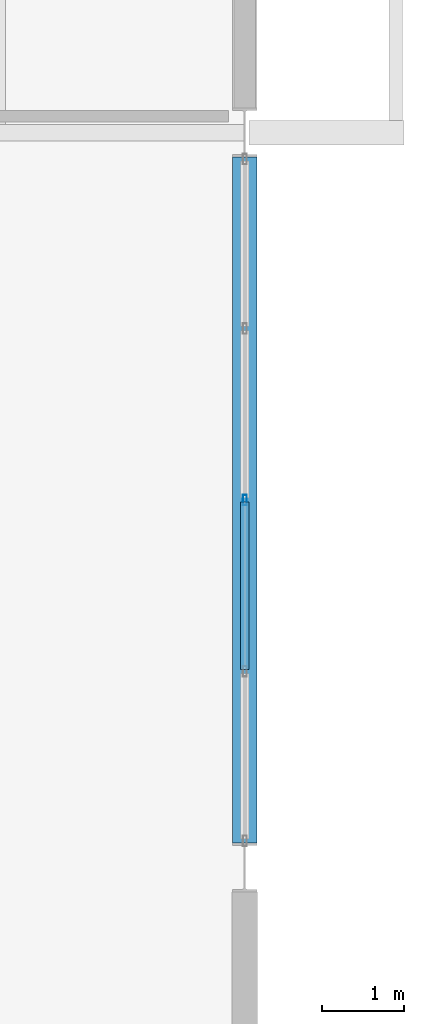
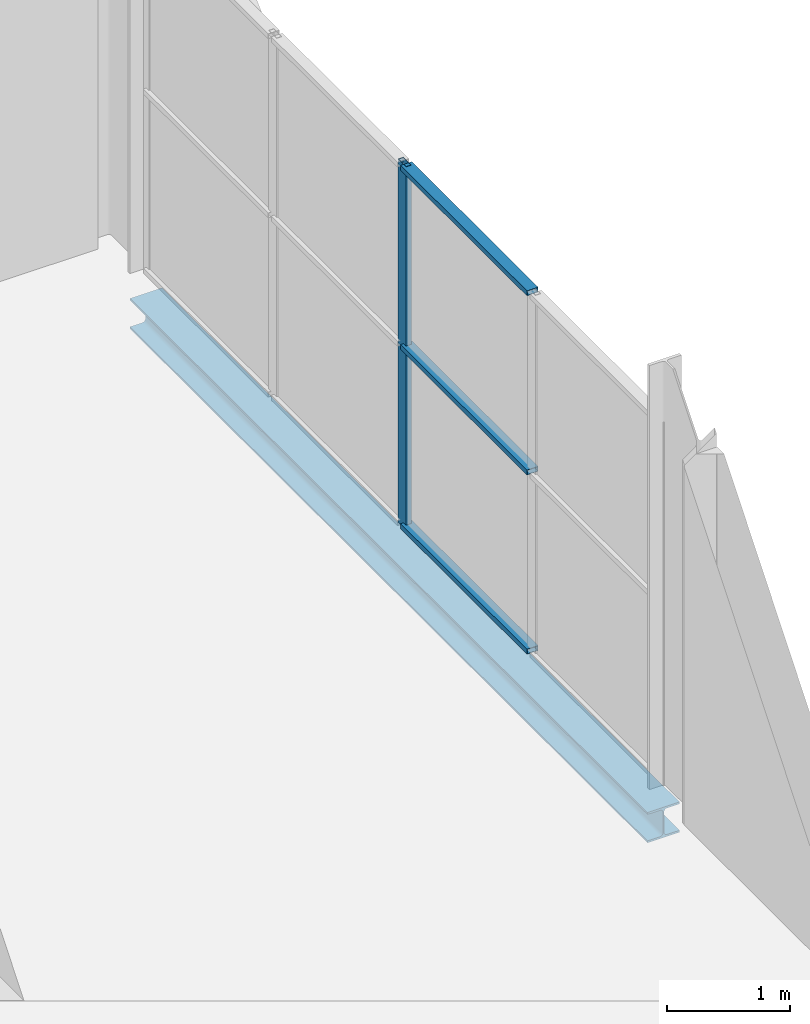
# One storey, part 34 of 59: 4 members, 1 beam, 1 element without a shape of its own.
"""IFC4 building model written with IfcOpenShell, lengths in metres."""

import ifcopenshell
import ifcopenshell.guid

model = None  # the IFC model being written
_history = None  # IfcOwnerHistory: only IFC2X3 demands one
_inside = {}  # id of a spatial element -> (the spatial element, [elements in it])
_under = {}  # id of a project, library or spatial element -> (it, [spatial elements below it])
_declared = {}  # id of a project -> (the project, [libraries it declares])
_typed = {}  # id of a type object -> (the type object, [elements of that type])
_made_of = {}  # id of a material, layer set ... -> (it, [elements and type objects made of it])


def new_model(schema):
    """Start an empty IFC model of exactly this schema.

    Asked for "IFC4X3", IfcOpenShell would pick the latest addendum, in which some entities
    have other attributes; the version numbers below select the first issue.
    IFC2X3 requires an IfcOwnerHistory on every rooted entity: one is made here for all.
    """
    global model, _history
    if schema == "IFC4X3":
        model = ifcopenshell.file(schema_version=(4, 3, 0, 0))
    else:
        model = ifcopenshell.file(schema=schema)
    _inside.clear()
    _under.clear()
    _declared.clear()
    _typed.clear()
    _made_of.clear()
    _history = None
    if model.schema == "IFC2X3":
        org = make("IfcOrganization", Name="unknown")
        user = make(
            "IfcPersonAndOrganization",
            ThePerson=make("IfcPerson", FamilyName="unknown"),
            TheOrganization=org,
        )
        app = make(
            "IfcApplication",
            ApplicationDeveloper=org,
            Version="unknown",
            ApplicationFullName="unknown",
            ApplicationIdentifier="unknown",
        )
        _history = make(
            "IfcOwnerHistory",
            OwningUser=user,
            OwningApplication=app,
            ChangeAction="ADDED",
            CreationDate=0,
        )
    return model


def make(cls, **values):
    """One entity of the class cls with the attributes given. An attribute that is None is left unset."""
    return model.create_entity(
        cls, **{name: value for name, value in values.items() if value is not None}
    )


def rooted(cls, **values):
    """An entity with a GlobalId (a new one), such as an element, a storey or a relation."""
    return make(cls, GlobalId=ifcopenshell.guid.new(), OwnerHistory=_history, **values)


def si_unit(unit_type, name, prefix=None):
    """IfcSIUnit, for example si_unit("LENGTHUNIT", "METRE", prefix="MILLI")."""
    return make("IfcSIUnit", UnitType=unit_type, Prefix=prefix, Name=name)


def assignment(units):
    """IfcUnitAssignment: the units of a project."""
    return None if units is None else make("IfcUnitAssignment", Units=units)


def point(xyz):
    """IfcCartesianPoint."""
    return None if xyz is None else make("IfcCartesianPoint", Coordinates=xyz)


def direction(xyz):
    """IfcDirection."""
    return None if xyz is None else make("IfcDirection", DirectionRatios=xyz)


def frame(location, z_axis=None, x_axis=None):
    """IfcAxis2Placement3D, a coordinate frame: its origin and axes. An axis left out is left unset."""
    return make(
        "IfcAxis2Placement3D",
        Location=point(location),
        Axis=direction(z_axis),
        RefDirection=direction(x_axis),
    )


def frame_2d(location, x_axis=None):
    """IfcAxis2Placement2D, a coordinate frame in the plane: its origin and x axis."""
    return make(
        "IfcAxis2Placement2D", Location=point(location), RefDirection=direction(x_axis)
    )


def origin():
    """The frame at (0, 0, 0) with its axes left unset."""
    return frame((0.0, 0.0, 0.0))


def origin_2d():
    """The frame at (0, 0) in the plane with its x axis left unset."""
    return frame_2d((0.0, 0.0))


def place(relative_to, where):
    """IfcLocalPlacement: puts the frame where relative to a parent placement (None: the world)."""
    return make(
        "IfcLocalPlacement", PlacementRelTo=relative_to, RelativePlacement=where
    )


def context(
    kind, dimensions, precision=None, world=None, true_north=None, identifier=None
):
    """IfcGeometricRepresentationContext, for example the 3D "Model" context."""
    return make(
        "IfcGeometricRepresentationContext",
        ContextIdentifier=identifier,
        ContextType=kind,
        CoordinateSpaceDimension=dimensions,
        Precision=precision,
        WorldCoordinateSystem=world,
        TrueNorth=true_north,
    )


def subcontext(parent, identifier, kind, view, scale=None):
    """IfcGeometricRepresentationSubContext, for example "Body" below "Model"."""
    return make(
        "IfcGeometricRepresentationSubContext",
        ContextIdentifier=identifier,
        ContextType=kind,
        ParentContext=parent,
        TargetScale=scale,
        TargetView=view,
    )


def project(units=None, contexts=None):
    """IfcProject with its units and contexts."""
    return rooted(
        "IfcProject",
        Name="project",
        RepresentationContexts=contexts,
        UnitsInContext=assignment(units),
    )


def spatial(cls, under=None, at=None, **own):
    """A site, building, storey or space (cls), placed at a placement, below another one or the project."""
    s = rooted(cls, ObjectPlacement=at, **own)
    if under is not None:
        _under.setdefault(under.id(), (under, []))[1].append(s)
    return s


def profile(cls, at=None, kind="AREA", **sizes):
    """A parametric profile (cls). Its sizes go by their IFC names, for example OverallWidth=200.0."""
    return make(cls, ProfileType=kind, Position=at, **sizes)


def hollow_rectangle(**sizes):
    """IfcRectangleHollowProfileDef."""
    return profile("IfcRectangleHollowProfileDef", **sizes)


def i_section(**sizes):
    """IfcIShapeProfileDef."""
    return profile("IfcIShapeProfileDef", **sizes)


def extrude(swept, where, along, depth):
    """IfcExtrudedAreaSolid: the profile swept, set in the frame where, extruded along a direction by depth."""
    return make(
        "IfcExtrudedAreaSolid",
        SweptArea=swept,
        Position=where,
        ExtrudedDirection=direction(along),
        Depth=depth,
    )


def shape(context_of_items, identifier, shape_type, items):
    """IfcShapeRepresentation: the items that make up one representation, for example the "Body"."""
    return make(
        "IfcShapeRepresentation",
        ContextOfItems=context_of_items,
        RepresentationIdentifier=identifier,
        RepresentationType=shape_type,
        Items=items,
    )


def material(Name=None, Category=None):
    """IfcMaterial."""
    return make("IfcMaterial", Name=Name, Category=Category)


def layer(
    of_material, thickness, ventilated=None, Name=None, Category=None, Priority=None
):
    """IfcMaterialLayer: one layer of a wall or slab, of a material (None: an air gap)."""
    return make(
        "IfcMaterialLayer",
        Material=of_material,
        LayerThickness=thickness,
        IsVentilated=ventilated,
        Name=Name,
        Category=Category,
        Priority=Priority,
    )


def layer_set(layers, Name=None):
    """IfcMaterialLayerSet."""
    return make("IfcMaterialLayerSet", MaterialLayers=layers, LayerSetName=Name)


def material_profile(
    of_material, cross_section, Name=None, Category=None, Priority=None
):
    """IfcMaterialProfile: a cross section and its material."""
    return make(
        "IfcMaterialProfile",
        Name=Name,
        Material=of_material,
        Profile=cross_section,
        Priority=Priority,
        Category=Category,
    )


def profile_set(profiles, Name=None, composite=None):
    """IfcMaterialProfileSet."""
    return make(
        "IfcMaterialProfileSet",
        Name=Name,
        MaterialProfiles=profiles,
        CompositeProfile=composite,
    )


def made_of(thing, what):
    """Note that an element or type object is made of a material, layer set ...; save() writes the relation."""
    if what is not None:
        _made_of.setdefault(what.id(), (what, []))[1].append(thing)
    return thing


def type_object(cls, material=None, **own):
    """A type object (cls), such as IfcWallType, which elements share."""
    return made_of(rooted(cls, **own), material)


def element(
    cls,
    number,
    at=None,
    inside=None,
    cuts=None,
    type_object=None,
    material=None,
    context=None,
    identifier="Body",
    shape_type=None,
    held_by="IfcProductDefinitionShape",
    body=None,
    shapes=None,
    **own,
):
    """One element of the class cls, such as IfcWall. Its Tag is "e" and its number.

    at: its placement. inside: the storey or other place that contains it. cuts: it is an
    opening in that element (IfcRelVoidsElement). A single representation is given by context,
    identifier, shape_type and body (its items); several are given by shapes. held_by: the class
    of the entity that holds the representations. save() writes the other relations.
    """
    e = rooted(cls, Tag="e%d" % number, ObjectPlacement=at, **own)
    if body is not None:
        shapes = [shape(context, identifier, shape_type, body)]
    if shapes is not None:
        e.Representation = make(held_by, Representations=shapes)
    if inside is not None:
        _inside.setdefault(inside.id(), (inside, []))[1].append(e)
    if cuts is not None:
        rooted(
            "IfcRelVoidsElement", RelatingBuildingElement=cuts, RelatedOpeningElement=e
        )
    if type_object is not None:
        _typed.setdefault(type_object.id(), (type_object, []))[1].append(e)
    return made_of(e, material)


def aggregate(whole, parts):
    """IfcRelAggregates: a whole, such as a stair, and the parts it consists of."""
    return rooted("IfcRelAggregates", RelatingObject=whole, RelatedObjects=parts)


def save(model, path):
    """Write the relations noted so far, then the file.

    IfcRelAggregates (storeys below a building ...), IfcRelContainedInSpatialStructure (elements
    in a storey), IfcRelDefinesByType, IfcRelAssociatesMaterial and IfcRelDeclares: one each for
    every whole, place, type object, material and project.
    """
    for whole, parts in _under.values():
        aggregate(whole, parts)
    for where, things in _inside.values():
        rooted(
            "IfcRelContainedInSpatialStructure",
            RelatedElements=things,
            RelatingStructure=where,
        )
    for kind, things in _typed.values():
        rooted("IfcRelDefinesByType", RelatedObjects=things, RelatingType=kind)
    for what, things in _made_of.values():
        rooted("IfcRelAssociatesMaterial", RelatedObjects=things, RelatingMaterial=what)
    for by, libraries in _declared.values():
        rooted("IfcRelDeclares", RelatingContext=by, RelatedDefinitions=libraries)
    model.write(path)


model = new_model("IFC4")

# Units and contexts
model_context = context("Model", 3, precision=1e-05, world=origin(), true_north=direction((0.0, 1.0)))
body_context = subcontext(model_context, "Body", "Model", "MODEL_VIEW")
ifc_project = project(units=[si_unit("LENGTHUNIT", "METRE"), si_unit("AREAUNIT", "SQUARE_METRE"), si_unit("VOLUMEUNIT", "CUBIC_METRE"), si_unit("PLANEANGLEUNIT", "RADIAN"), si_unit("MASSUNIT", "GRAM", prefix="KILO")], contexts=[model_context])

# Site, building, storey
site_placement = place(None, origin())
site = spatial("IfcSite", under=ifc_project, at=site_placement, CompositionType="ELEMENT")
building_placement = place(site_placement, origin())
building = spatial("IfcBuilding", under=site, at=building_placement, Name="Deido Ridge Mobility Hub", CompositionType="ELEMENT")
storey_placement = place(building_placement, frame((0.0, 0.0, 21.0)))
storey = spatial("IfcBuildingStorey", under=building, at=storey_placement, Name="L05", CompositionType="ELEMENT", Elevation=21.0)

# Curtain wall, members
ifc_material_1 = material(Name="Anodised aluminium EN AW-6063 T6", Category="aluminium")
ifc_layer = layer(ifc_material_1, 0.1650390625, Name="Anodised aluminium EN AW-6063 T6")
ifc_layer_set = layer_set([ifc_layer], Name="Anodised aluminium EN AW-6063 T6")
curtain_wall_type = type_object("IfcCurtainWallType", Name="CW-UF-1", PredefinedType="USERDEFINED", material=ifc_layer_set)
curtain_wall_placement = place(storey_placement, origin())
curtain_wall = element("IfcCurtainWall", 1, at=curtain_wall_placement, inside=storey, type_object=curtain_wall_type, Name="Unitised curtain wall CW1", ObjectType="UNITISED FACADE", PredefinedType="USERDEFINED")
ifc_material_profile_1 = material_profile(ifc_material_1, hollow_rectangle(XDim=0.050048828125, YDim=0.1298828125, WallThickness=0.00390625, at=origin_2d()), Name="RHS 50x130x4")
ifc_profile_set_1 = profile_set([ifc_material_profile_1], Name="Anodised aluminium EN AW-6063 T6")
member_type_1 = type_object("IfcMemberType", Name="MEM-MUL-50X130", PredefinedType="MULLION", material=ifc_profile_set_1)
member_1_placement = place(storey_placement, frame((180.0, 13.5, 0.0), z_axis=(0.0, 0.0, 1.0), x_axis=(-1.0, 0.0, 0.0)))
member_1 = element("IfcMember", 2, at=member_1_placement, type_object=member_type_1, Name="CW1 mullion 3", PredefinedType="MULLION", context=body_context, shape_type="SweptSolid", body=[
    extrude(hollow_rectangle(XDim=0.050048828125, YDim=0.1298828125, WallThickness=0.00390625, at=origin_2d()), origin(), (0.0, 0.0, 1.0), 3.60009765625),
])
ifc_material_profile_2 = material_profile(ifc_material_1, hollow_rectangle(XDim=0.10498046875, YDim=0.050048828125, WallThickness=0.00390625, at=origin_2d()), Name="RHS 105x50x4")
ifc_profile_set_2 = profile_set([ifc_material_profile_2], Name="Anodised aluminium EN AW-6063 T6")
member_type_2 = type_object("IfcMemberType", Name="MEM-TRN-105X50", PredefinedType="USERDEFINED", material=ifc_profile_set_2)
member_2_placement = place(storey_placement, frame((180.0, 11.425048828125, 0.02490234375), z_axis=(0.0, 1.0, 0.0), x_axis=(-1.0, 0.0, 0.0)))
member_2 = element("IfcMember", 3, at=member_2_placement, type_object=member_type_2, Name="CW1 transom 2.1", ObjectType="TRANSOM", PredefinedType="USERDEFINED", context=body_context, shape_type="SweptSolid", body=[
    extrude(hollow_rectangle(XDim=0.10498046875, YDim=0.050048828125, WallThickness=0.00390625, at=origin_2d()), origin(), (0.0, 0.0, 1.0), 2.050048828125),
])
member_3_placement = place(storey_placement, frame((180.0, 11.425048828125, 1.800048828125), z_axis=(0.0, 1.0, 0.0), x_axis=(-1.0, 0.0, 0.0)))
member_3 = element("IfcMember", 4, at=member_3_placement, type_object=member_type_2, Name="CW1 transom 2.2", ObjectType="TRANSOM", PredefinedType="USERDEFINED", context=body_context, shape_type="SweptSolid", body=[
    extrude(hollow_rectangle(XDim=0.10498046875, YDim=0.050048828125, WallThickness=0.00390625, at=origin_2d()), origin(), (0.0, 0.0, 1.0), 2.050048828125),
])
member_4_placement = place(storey_placement, frame((180.0, 11.425048828125, 3.574951171875), z_axis=(0.0, 1.0, 0.0), x_axis=(-1.0, 0.0, 0.0)))
member_4 = element("IfcMember", 5, at=member_4_placement, type_object=member_type_2, Name="CW1 transom 2.3", ObjectType="TRANSOM", PredefinedType="USERDEFINED", context=body_context, shape_type="SweptSolid", body=[
    extrude(hollow_rectangle(XDim=0.10498046875, YDim=0.050048828125, WallThickness=0.00390625, at=origin_2d()), origin(), (0.0, 0.0, 1.0), 2.050048828125),
])
aggregate(curtain_wall, [member_1, member_2, member_3, member_4])

# Beam
ifc_material_2 = material(Name="Steel S355J2 EN 10025-2", Category="steel")
ifc_material_profile_3 = material_profile(ifc_material_2, i_section(OverallWidth=0.300048828125, OverallDepth=0.300048828125, WebThickness=0.010986328125, FlangeThickness=0.01904296875, FilletRadius=0.027099609375, at=origin_2d()), Name="HEB 300")
ifc_profile_set_3 = profile_set([ifc_material_profile_3], Name="Steel S355J2 EN 10025-2")
beam_type = type_object("IfcBeamType", Name="SPD-HEB300", PredefinedType="SPANDREL", material=ifc_profile_set_3)
beam_placement = place(storey_placement, frame((180.0, 9.300048828125, -0.39501953125), z_axis=(0.0, 1.0, 0.0), x_axis=(-1.0, 0.0, 0.0)))
element("IfcBeam", 6, at=beam_placement, inside=storey, type_object=beam_type, Name="Floor beam SP1", PredefinedType="SPANDREL", context=body_context, shape_type="SweptSolid", body=[
    extrude(i_section(OverallWidth=0.300048828125, OverallDepth=0.300048828125, WebThickness=0.010986328125, FlangeThickness=0.01904296875, FilletRadius=0.027099609375, at=origin_2d()), origin(), (0.0, 0.0, 1.0), 8.39990234375),
])

save(model, "model.ifc")
